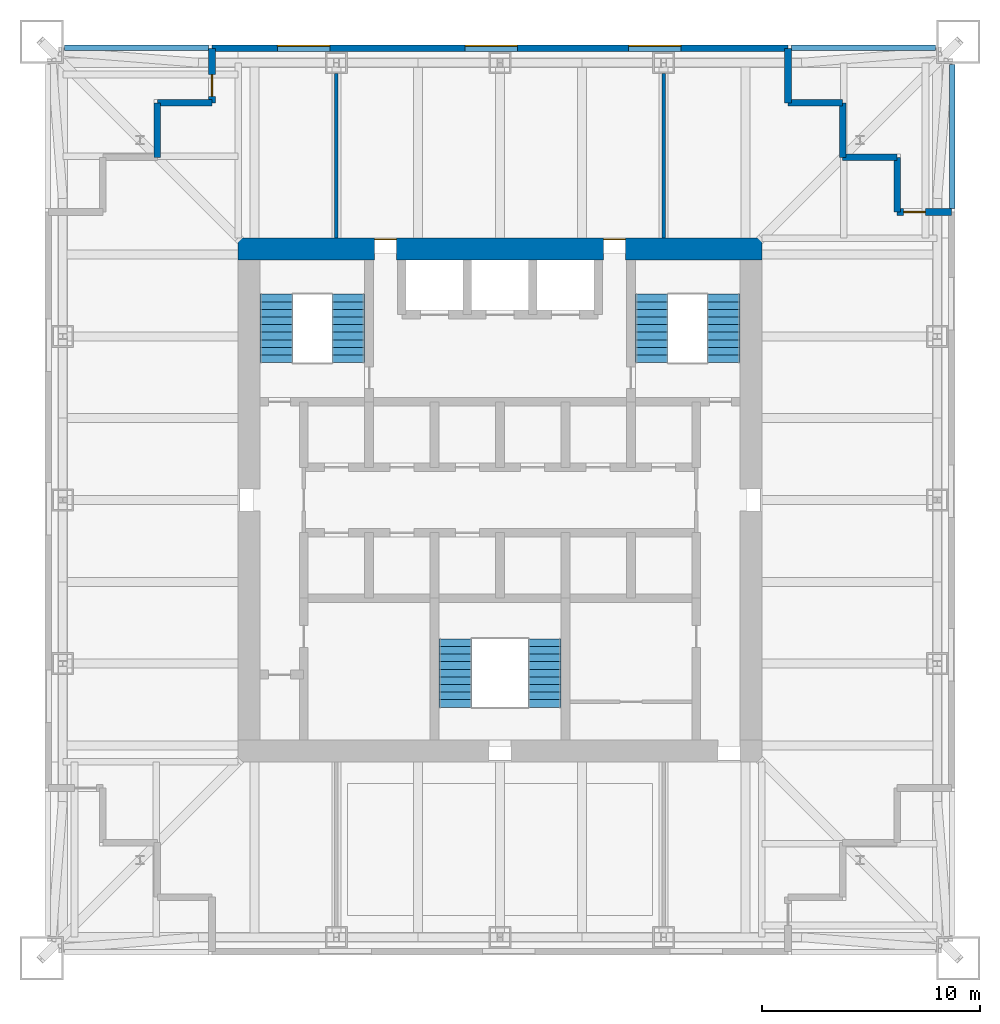
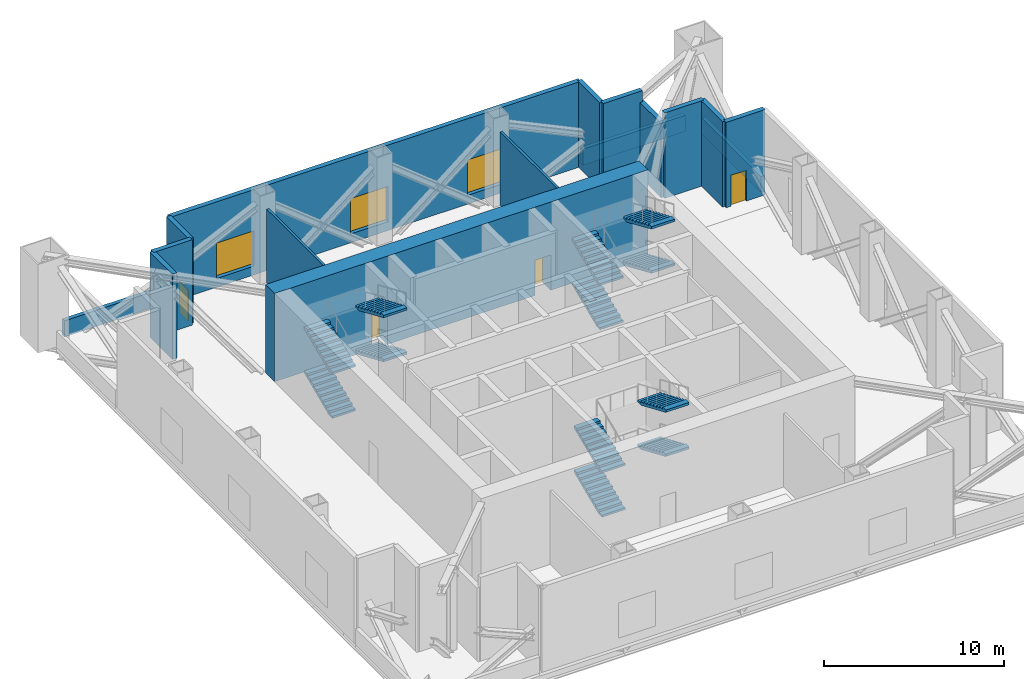
# One storey, part 5 of 7: 16 walls, 12 stair flights, 4 doors, 3 windows, 7 openings, 3 elements without a shape of their own.
"""IFC4 building model written with IfcOpenShell, lengths in metres."""

import ifcopenshell
import ifcopenshell.guid

model = None  # the IFC model being written
_history = None  # IfcOwnerHistory: only IFC2X3 demands one
_inside = {}  # id of a spatial element -> (the spatial element, [elements in it])
_under = {}  # id of a project, library or spatial element -> (it, [spatial elements below it])
_declared = {}  # id of a project -> (the project, [libraries it declares])
_typed = {}  # id of a type object -> (the type object, [elements of that type])
_made_of = {}  # id of a material, layer set ... -> (it, [elements and type objects made of it])


def new_model(schema):
    """Start an empty IFC model of exactly this schema.

    Asked for "IFC4X3", IfcOpenShell would pick the latest addendum, in which some entities
    have other attributes; the version numbers below select the first issue.
    IFC2X3 requires an IfcOwnerHistory on every rooted entity: one is made here for all.
    """
    global model, _history
    if schema == "IFC4X3":
        model = ifcopenshell.file(schema_version=(4, 3, 0, 0))
    else:
        model = ifcopenshell.file(schema=schema)
    _inside.clear()
    _under.clear()
    _declared.clear()
    _typed.clear()
    _made_of.clear()
    _history = None
    if model.schema == "IFC2X3":
        org = make("IfcOrganization", Name="unknown")
        user = make(
            "IfcPersonAndOrganization",
            ThePerson=make("IfcPerson", FamilyName="unknown"),
            TheOrganization=org,
        )
        app = make(
            "IfcApplication",
            ApplicationDeveloper=org,
            Version="unknown",
            ApplicationFullName="unknown",
            ApplicationIdentifier="unknown",
        )
        _history = make(
            "IfcOwnerHistory",
            OwningUser=user,
            OwningApplication=app,
            ChangeAction="ADDED",
            CreationDate=0,
        )
    return model


def make(cls, **values):
    """One entity of the class cls with the attributes given. An attribute that is None is left unset."""
    return model.create_entity(
        cls, **{name: value for name, value in values.items() if value is not None}
    )


def rooted(cls, **values):
    """An entity with a GlobalId (a new one), such as an element, a storey or a relation."""
    return make(cls, GlobalId=ifcopenshell.guid.new(), OwnerHistory=_history, **values)


def si_unit(unit_type, name, prefix=None):
    """IfcSIUnit, for example si_unit("LENGTHUNIT", "METRE", prefix="MILLI")."""
    return make("IfcSIUnit", UnitType=unit_type, Prefix=prefix, Name=name)


def assignment(units):
    """IfcUnitAssignment: the units of a project."""
    return None if units is None else make("IfcUnitAssignment", Units=units)


def point(xyz):
    """IfcCartesianPoint."""
    return None if xyz is None else make("IfcCartesianPoint", Coordinates=xyz)


def direction(xyz):
    """IfcDirection."""
    return None if xyz is None else make("IfcDirection", DirectionRatios=xyz)


def frame(location, z_axis=None, x_axis=None):
    """IfcAxis2Placement3D, a coordinate frame: its origin and axes. An axis left out is left unset."""
    return make(
        "IfcAxis2Placement3D",
        Location=point(location),
        Axis=direction(z_axis),
        RefDirection=direction(x_axis),
    )


def frame_2d(location, x_axis=None):
    """IfcAxis2Placement2D, a coordinate frame in the plane: its origin and x axis."""
    return make(
        "IfcAxis2Placement2D", Location=point(location), RefDirection=direction(x_axis)
    )


def origin():
    """The frame at (0, 0, 0) with its axes left unset."""
    return frame((0.0, 0.0, 0.0))


def place(relative_to, where):
    """IfcLocalPlacement: puts the frame where relative to a parent placement (None: the world)."""
    return make(
        "IfcLocalPlacement", PlacementRelTo=relative_to, RelativePlacement=where
    )


def context(
    kind, dimensions, precision=None, world=None, true_north=None, identifier=None
):
    """IfcGeometricRepresentationContext, for example the 3D "Model" context."""
    return make(
        "IfcGeometricRepresentationContext",
        ContextIdentifier=identifier,
        ContextType=kind,
        CoordinateSpaceDimension=dimensions,
        Precision=precision,
        WorldCoordinateSystem=world,
        TrueNorth=true_north,
    )


def subcontext(parent, identifier, kind, view, scale=None):
    """IfcGeometricRepresentationSubContext, for example "Body" below "Model"."""
    return make(
        "IfcGeometricRepresentationSubContext",
        ContextIdentifier=identifier,
        ContextType=kind,
        ParentContext=parent,
        TargetScale=scale,
        TargetView=view,
    )


def project(units=None, contexts=None):
    """IfcProject with its units and contexts."""
    return rooted(
        "IfcProject",
        Name="project",
        RepresentationContexts=contexts,
        UnitsInContext=assignment(units),
    )


def spatial(cls, under=None, at=None, **own):
    """A site, building, storey or space (cls), placed at a placement, below another one or the project."""
    s = rooted(cls, ObjectPlacement=at, **own)
    if under is not None:
        _under.setdefault(under.id(), (under, []))[1].append(s)
    return s


def polyline(points):
    """IfcPolyline through the points."""
    return make("IfcPolyline", Points=[point(p) for p in points])


def profile(cls, at=None, kind="AREA", **sizes):
    """A parametric profile (cls). Its sizes go by their IFC names, for example OverallWidth=200.0."""
    return make(cls, ProfileType=kind, Position=at, **sizes)


def rectangle(**sizes):
    """IfcRectangleProfileDef."""
    return profile("IfcRectangleProfileDef", **sizes)


def outline(outer, holes=None, kind="AREA"):
    """IfcArbitraryClosedProfileDef: a profile drawn as a closed curve; with holes, ...WithVoids."""
    if holes is None:
        return make("IfcArbitraryClosedProfileDef", ProfileType=kind, OuterCurve=outer)
    return make(
        "IfcArbitraryProfileDefWithVoids",
        ProfileType=kind,
        OuterCurve=outer,
        InnerCurves=holes,
    )


def extrude(swept, where, along, depth):
    """IfcExtrudedAreaSolid: the profile swept, set in the frame where, extruded along a direction by depth."""
    return make(
        "IfcExtrudedAreaSolid",
        SweptArea=swept,
        Position=where,
        ExtrudedDirection=direction(along),
        Depth=depth,
    )


def shape(context_of_items, identifier, shape_type, items):
    """IfcShapeRepresentation: the items that make up one representation, for example the "Body"."""
    return make(
        "IfcShapeRepresentation",
        ContextOfItems=context_of_items,
        RepresentationIdentifier=identifier,
        RepresentationType=shape_type,
        Items=items,
    )


def material(Name=None, Category=None):
    """IfcMaterial."""
    return make("IfcMaterial", Name=Name, Category=Category)


def layer(
    of_material, thickness, ventilated=None, Name=None, Category=None, Priority=None
):
    """IfcMaterialLayer: one layer of a wall or slab, of a material (None: an air gap)."""
    return make(
        "IfcMaterialLayer",
        Material=of_material,
        LayerThickness=thickness,
        IsVentilated=ventilated,
        Name=Name,
        Category=Category,
        Priority=Priority,
    )


def layer_set(layers, Name=None):
    """IfcMaterialLayerSet."""
    return make("IfcMaterialLayerSet", MaterialLayers=layers, LayerSetName=Name)


def made_of(thing, what):
    """Note that an element or type object is made of a material, layer set ...; save() writes the relation."""
    if what is not None:
        _made_of.setdefault(what.id(), (what, []))[1].append(thing)
    return thing


def type_object(cls, material=None, **own):
    """A type object (cls), such as IfcWallType, which elements share."""
    return made_of(rooted(cls, **own), material)


def element(
    cls,
    number,
    at=None,
    inside=None,
    cuts=None,
    type_object=None,
    material=None,
    context=None,
    identifier="Body",
    shape_type=None,
    held_by="IfcProductDefinitionShape",
    body=None,
    shapes=None,
    **own,
):
    """One element of the class cls, such as IfcWall. Its Tag is "e" and its number.

    at: its placement. inside: the storey or other place that contains it. cuts: it is an
    opening in that element (IfcRelVoidsElement). A single representation is given by context,
    identifier, shape_type and body (its items); several are given by shapes. held_by: the class
    of the entity that holds the representations. save() writes the other relations.
    """
    e = rooted(cls, Tag="e%d" % number, ObjectPlacement=at, **own)
    if body is not None:
        shapes = [shape(context, identifier, shape_type, body)]
    if shapes is not None:
        e.Representation = make(held_by, Representations=shapes)
    if inside is not None:
        _inside.setdefault(inside.id(), (inside, []))[1].append(e)
    if cuts is not None:
        rooted(
            "IfcRelVoidsElement", RelatingBuildingElement=cuts, RelatedOpeningElement=e
        )
    if type_object is not None:
        _typed.setdefault(type_object.id(), (type_object, []))[1].append(e)
    return made_of(e, material)


def fill(opening, filler):
    """IfcRelFillsElement: the door or window that sits in an opening."""
    return rooted(
        "IfcRelFillsElement",
        RelatingOpeningElement=opening,
        RelatedBuildingElement=filler,
    )


def aggregate(whole, parts):
    """IfcRelAggregates: a whole, such as a stair, and the parts it consists of."""
    return rooted("IfcRelAggregates", RelatingObject=whole, RelatedObjects=parts)


def save(model, path):
    """Write the relations noted so far, then the file.

    IfcRelAggregates (storeys below a building ...), IfcRelContainedInSpatialStructure (elements
    in a storey), IfcRelDefinesByType, IfcRelAssociatesMaterial and IfcRelDeclares: one each for
    every whole, place, type object, material and project.
    """
    for whole, parts in _under.values():
        aggregate(whole, parts)
    for where, things in _inside.values():
        rooted(
            "IfcRelContainedInSpatialStructure",
            RelatedElements=things,
            RelatingStructure=where,
        )
    for kind, things in _typed.values():
        rooted("IfcRelDefinesByType", RelatedObjects=things, RelatingType=kind)
    for what, things in _made_of.values():
        rooted("IfcRelAssociatesMaterial", RelatedObjects=things, RelatingMaterial=what)
    for by, libraries in _declared.values():
        rooted("IfcRelDeclares", RelatingContext=by, RelatedDefinitions=libraries)
    model.write(path)


model = new_model("IFC4")

# Units and contexts
model_context = context("Model", 3, precision=1e-05, world=origin(), true_north=direction((0.0, 1.0)))
body_context = subcontext(model_context, "Body", "Model", "MODEL_VIEW")
ifc_project = project(units=[si_unit("LENGTHUNIT", "METRE"), si_unit("AREAUNIT", "SQUARE_METRE"), si_unit("VOLUMEUNIT", "CUBIC_METRE"), si_unit("PLANEANGLEUNIT", "RADIAN"), si_unit("MASSUNIT", "GRAM", prefix="KILO")], contexts=[model_context])

# Site, building, storey
site_placement = place(None, origin())
site = spatial("IfcSite", under=ifc_project, at=site_placement, CompositionType="ELEMENT")
building_placement = place(site_placement, origin())
building = spatial("IfcBuilding", under=site, at=building_placement, Name="Tarangal Relay Tower", CompositionType="ELEMENT")
storey_placement = place(building_placement, frame((0.0, 0.0, 335.89990234375)))
storey = spatial("IfcBuildingStorey", under=building, at=storey_placement, Name="L75", CompositionType="ELEMENT", Elevation=335.89990234375)

# Wall, openings, doors
ifc_material_1 = material(Name="Concrete fc' 60 MPa", Category="concrete")
ifc_layer_1 = layer(ifc_material_1, 1.0)
ifc_layer_set_1 = layer_set([ifc_layer_1], Name="Core wall 1000")
wall_type_1 = type_object("IfcWallType", Name="Core wall 1000", PredefinedType="SHEAR", material=ifc_layer_set_1)
wall_1_placement = place(storey_placement, frame((-12.0, 11.5, 0.0), z_axis=(0.0, 0.0, 1.0), x_axis=(1.0, 0.0, 0.0)))
wall_1 = element("IfcWall", 1, at=wall_1_placement, inside=storey, type_object=wall_type_1, Name="Core wall N L75", PredefinedType="SHEAR", context=body_context, shape_type="SweptSolid", body=[
    extrude(rectangle(XDim=24.0, YDim=1.0, at=frame_2d((12.0, 0.0))), origin(), (0.0, 0.0, 1.0), 6.0),
])
opening_1_placement = place(wall_1_placement, frame((6.25, 0.0, 0.0)))
opening_1 = element("IfcOpeningElement", 2, at=opening_1_placement, cuts=wall_1, Name="Opening FD3", PredefinedType="OPENING", context=body_context, shape_type="SweptSolid", body=[
    extrude(rectangle(XDim=1.0, YDim=2.39990234375, at=frame_2d((0.5, 1.199951171875))), frame((0.0, 0.510009765625, 0.0), z_axis=(0.0, -1.0, 0.0), x_axis=(1.0, 0.0, 0.0)), (0.0, 0.0, 1.0), 1.02001953125),
])
opening_2_placement = place(wall_1_placement, frame((16.75, 0.0, 0.0)))
opening_2 = element("IfcOpeningElement", 3, at=opening_2_placement, cuts=wall_1, Name="Opening FD3", PredefinedType="OPENING", context=body_context, shape_type="SweptSolid", body=[
    extrude(rectangle(XDim=1.0, YDim=2.39990234375, at=frame_2d((0.5, 1.199951171875))), frame((0.0, 0.510009765625, 0.0), z_axis=(0.0, -1.0, 0.0), x_axis=(1.0, 0.0, 0.0)), (0.0, 0.0, 1.0), 1.02001953125),
])
ifc_material_2 = material(Name="Steel door with hardwood frame", Category="steel")
door_type_1 = type_object("IfcDoorType", Name="Fire door 1000 x 2400 core entry", OperationType="SINGLE_SWING_RIGHT", PredefinedType="DOOR", material=ifc_material_2)
door_1_placement = place(opening_1_placement, origin())
door_1 = element("IfcDoor", 4, at=door_1_placement, inside=storey, type_object=door_type_1, Name="Core entry door north west L75", OperationType="SINGLE_SWING_RIGHT", OverallHeight=2.39990234375, OverallWidth=1.0, PredefinedType="DOOR", context=body_context, shape_type="SweptSolid", body=[
    extrude(rectangle(XDim=1.0, YDim=2.39990234375, at=frame_2d((0.5, 1.199951171875))), frame((0.0, 0.48486328125, 0.0), z_axis=(0.0, -1.0, 0.0), x_axis=(1.0, 0.0, 0.0)), (0.0, 0.0, 1.0), 0.050048828125),
])
fill(opening_1, door_1)
door_2_placement = place(opening_2_placement, origin())
door_2 = element("IfcDoor", 5, at=door_2_placement, inside=storey, type_object=door_type_1, Name="Core entry door north east L75", OperationType="SINGLE_SWING_RIGHT", OverallHeight=2.39990234375, OverallWidth=1.0, PredefinedType="DOOR", context=body_context, shape_type="SweptSolid", body=[
    extrude(rectangle(XDim=1.0, YDim=2.39990234375, at=frame_2d((0.5, 1.199951171875))), frame((0.0, 0.48486328125, 0.0), z_axis=(0.0, -1.0, 0.0), x_axis=(1.0, 0.0, 0.0)), (0.0, 0.0, 1.0), 0.050048828125),
])
fill(opening_2, door_2)

# Wall, openings, windows
ifc_material_3 = material(Name="Insulated precast concrete fc' 40 MPa", Category="concrete")
ifc_layer_2 = layer(ifc_material_3, 0.300048828125)
ifc_layer_set_2 = layer_set([ifc_layer_2], Name="Insulated precast concrete fc' 40 MPa")
wall_type_2 = type_object("IfcWallType", Name="Facade wall precast 300", PredefinedType="SOLIDWALL", material=ifc_layer_set_2)
wall_2_placement = place(storey_placement, frame((-13.199951171875, 20.699951171875, 0.0), z_axis=(0.0, 0.0, 1.0), x_axis=(1.0, 0.0, 0.0)))
wall_2 = element("IfcWall", 6, at=wall_2_placement, inside=storey, type_object=wall_type_2, Name="Facade wall N facade L75", PredefinedType="SOLIDWALL", context=body_context, shape_type="SweptSolid", body=[
    extrude(rectangle(XDim=26.39990234375, YDim=0.300048828125, at=frame_2d((13.199951171875, 0.0))), origin(), (0.0, 0.0, 1.0), 5.800048828125),
])
opening_3_placement = place(wall_2_placement, frame((3.0, 0.0, 0.60009765625)))
opening_3 = element("IfcOpeningElement", 7, at=opening_3_placement, cuts=wall_2, Name="Opening LV1", PredefinedType="OPENING", context=body_context, shape_type="SweptSolid", body=[
    extrude(rectangle(XDim=2.39990234375, YDim=2.39990234375, at=frame_2d((1.199951171875, 1.199951171875))), frame((0.0, 0.159912109375, 0.0), z_axis=(0.0, -1.0, 0.0), x_axis=(1.0, 0.0, 0.0)), (0.0, 0.0, 1.0), 0.320068359375),
])
opening_4_placement = place(wall_2_placement, frame((11.60009765625, 0.0, 0.60009765625)))
opening_4 = element("IfcOpeningElement", 8, at=opening_4_placement, cuts=wall_2, Name="Opening LV1", PredefinedType="OPENING", context=body_context, shape_type="SweptSolid", body=[
    extrude(rectangle(XDim=2.39990234375, YDim=2.39990234375, at=frame_2d((1.199951171875, 1.199951171875))), frame((0.0, 0.159912109375, 0.0), z_axis=(0.0, -1.0, 0.0), x_axis=(1.0, 0.0, 0.0)), (0.0, 0.0, 1.0), 0.320068359375),
])
opening_5_placement = place(wall_2_placement, frame((19.10009765625, 0.0, 0.60009765625)))
opening_5 = element("IfcOpeningElement", 9, at=opening_5_placement, cuts=wall_2, Name="Opening LV1", PredefinedType="OPENING", context=body_context, shape_type="SweptSolid", body=[
    extrude(rectangle(XDim=2.39990234375, YDim=2.39990234375, at=frame_2d((1.199951171875, 1.199951171875))), frame((0.0, 0.159912109375, 0.0), z_axis=(0.0, -1.0, 0.0), x_axis=(1.0, 0.0, 0.0)), (0.0, 0.0, 1.0), 0.320068359375),
])
ifc_material_4 = material(Name="Black aluminium weather louvre", Category="aluminium")
window_type = type_object("IfcWindowType", Name="Louvre 2400 x 2400", PartitioningType="SINGLE_PANEL", PredefinedType="WINDOW", material=ifc_material_4)
window_1_placement = place(opening_3_placement, origin())
window_1 = element("IfcWindow", 10, at=window_1_placement, inside=storey, type_object=window_type, Name="Louvre LV1 N facade L75", OverallHeight=2.39990234375, OverallWidth=2.39990234375, PartitioningType="SINGLE_PANEL", PredefinedType="WINDOW", context=body_context, shape_type="SweptSolid", body=[
    extrude(rectangle(XDim=2.39990234375, YDim=2.39990234375, at=frame_2d((1.199951171875, 1.199951171875))), frame((0.0, 0.150146484375, 0.0), z_axis=(0.0, -1.0, 0.0), x_axis=(1.0, 0.0, 0.0)), (0.0, 0.0, 1.0), 0.06005859375),
])
fill(opening_3, window_1)
window_2_placement = place(opening_4_placement, origin())
window_2 = element("IfcWindow", 11, at=window_2_placement, inside=storey, type_object=window_type, Name="Louvre LV1 N facade L75", OverallHeight=2.39990234375, OverallWidth=2.39990234375, PartitioningType="SINGLE_PANEL", PredefinedType="WINDOW", context=body_context, shape_type="SweptSolid", body=[
    extrude(rectangle(XDim=2.39990234375, YDim=2.39990234375, at=frame_2d((1.199951171875, 1.199951171875))), frame((0.0, 0.150146484375, 0.0), z_axis=(0.0, -1.0, 0.0), x_axis=(1.0, 0.0, 0.0)), (0.0, 0.0, 1.0), 0.06005859375),
])
fill(opening_4, window_2)
window_3_placement = place(opening_5_placement, origin())
window_3 = element("IfcWindow", 12, at=window_3_placement, inside=storey, type_object=window_type, Name="Louvre LV1 N facade L75", OverallHeight=2.39990234375, OverallWidth=2.39990234375, PartitioningType="SINGLE_PANEL", PredefinedType="WINDOW", context=body_context, shape_type="SweptSolid", body=[
    extrude(rectangle(XDim=2.39990234375, YDim=2.39990234375, at=frame_2d((1.199951171875, 1.199951171875))), frame((0.0, 0.150146484375, 0.0), z_axis=(0.0, -1.0, 0.0), x_axis=(1.0, 0.0, 0.0)), (0.0, 0.0, 1.0), 0.06005859375),
])
fill(opening_5, window_3)

# Walls
for number, where, z_axis, x_axis, name in (
    (13, (13.199951171875, 20.699951171875, 0.0), (0.0, 0.0, 1.0), (0.0, -1.0, 0.0), "Facade wall N facade L75"),
    (14, (13.199951171875, 18.199951171875, 0.0), (0.0, 0.0, 1.0), (1.0, 0.0, 0.0), "Facade wall N facade L75"),
):
    element("IfcWall", number, at=place(storey_placement, frame(where, z_axis=z_axis, x_axis=x_axis)), inside=storey, type_object=wall_type_2, Name=name, PredefinedType="SOLIDWALL", context=body_context, shape_type="SweptSolid", body=[
        extrude(rectangle(XDim=2.5, YDim=0.300048828125, at=frame_2d((1.25, 0.0))), origin(), (0.0, 0.0, 1.0), 5.800048828125),
    ])
wall_3_placement = place(storey_placement, frame((15.699951171875, 18.199951171875, 0.0), z_axis=(0.0, 0.0, 1.0), x_axis=(0.0, -1.0, 0.0)))
element("IfcWall", 15, at=wall_3_placement, inside=storey, type_object=wall_type_2, Name="Facade wall N facade L75", PredefinedType="SOLIDWALL", context=body_context, shape_type="SweptSolid", body=[
    extrude(rectangle(XDim=2.5, YDim=0.300048828125, at=frame_2d((1.25, 0.0))), origin(), (0.0, 0.0, 1.0), 5.045654296875),
])
for number, where, z_axis, x_axis, name in (
    (16, (15.699951171875, 15.699951171875, 0.0), (0.0, 0.0, 1.0), (1.0, 0.0, 0.0), "Facade wall N facade L75"),
    (17, (18.199951171875, 15.699951171875, 0.0), (0.0, 0.0, 1.0), (0.0, -1.0, 0.0), "Facade wall N facade L75"),
):
    element("IfcWall", number, at=place(storey_placement, frame(where, z_axis=z_axis, x_axis=x_axis)), inside=storey, type_object=wall_type_2, Name=name, PredefinedType="SOLIDWALL", context=body_context, shape_type="SweptSolid", body=[
        extrude(rectangle(XDim=2.5, YDim=0.300048828125, at=frame_2d((1.25, 0.0))), origin(), (0.0, 0.0, 1.0), 5.800048828125),
    ])

# Wall, opening, door
wall_4_placement = place(storey_placement, frame((18.199951171875, 13.199951171875, 0.0), z_axis=(0.0, 0.0, 1.0), x_axis=(1.0, 0.0, 0.0)))
wall_4 = element("IfcWall", 18, at=wall_4_placement, inside=storey, type_object=wall_type_2, Name="Facade wall N facade L75", PredefinedType="SOLIDWALL", context=body_context, shape_type="SweptSolid", body=[
    extrude(rectangle(XDim=2.5, YDim=0.300048828125, at=frame_2d((1.25, 0.0))), origin(), (0.0, 0.0, 1.0), 5.800048828125),
])
opening_6_placement = place(wall_4_placement, frame((0.300048828125, 0.0, 0.0)))
opening_6 = element("IfcOpeningElement", 19, at=opening_6_placement, cuts=wall_4, Name="Opening MD1", PredefinedType="OPENING", context=body_context, shape_type="SweptSolid", body=[
    extrude(rectangle(XDim=1.0, YDim=2.10009765625, at=frame_2d((0.5, 1.050048828125))), frame((0.0, 0.159912109375, 0.0), z_axis=(0.0, -1.0, 0.0), x_axis=(1.0, 0.0, 0.0)), (0.0, 0.0, 1.0), 0.320068359375),
])
door_type_2 = type_object("IfcDoorType", Name="Maintenance access door 1000 x 2100", OperationType="SINGLE_SWING_RIGHT", PredefinedType="DOOR", material=ifc_material_2)
door_3_placement = place(opening_6_placement, origin())
door_3 = element("IfcDoor", 20, at=door_3_placement, inside=storey, type_object=door_type_2, Name="Maintenance access door MD1 NE L75", OperationType="SINGLE_SWING_RIGHT", OverallHeight=2.10009765625, OverallWidth=1.0, PredefinedType="DOOR", context=body_context, shape_type="SweptSolid", body=[
    extrude(rectangle(XDim=1.0, YDim=2.10009765625, at=frame_2d((0.5, 1.050048828125))), frame((0.0, 0.02490234375, 0.0), z_axis=(0.0, -1.0, 0.0), x_axis=(1.0, 0.0, 0.0)), (0.0, 0.0, 1.0), 0.050048828125),
])
fill(opening_6, door_3)

# Walls
for number, where, z_axis, x_axis, name in (
    (21, (-15.699951171875, 15.699951171875, 0.0), (0.0, 0.0, 1.0), (0.0, 1.0, 0.0), "Facade wall W facade L75"),
    (22, (-15.699951171875, 18.199951171875, 0.0), (0.0, 0.0, 1.0), (1.0, 0.0, 0.0), "Facade wall W facade L75"),
):
    element("IfcWall", number, at=place(storey_placement, frame(where, z_axis=z_axis, x_axis=x_axis)), inside=storey, type_object=wall_type_2, Name=name, PredefinedType="SOLIDWALL", context=body_context, shape_type="SweptSolid", body=[
        extrude(rectangle(XDim=2.5, YDim=0.300048828125, at=frame_2d((1.25, 0.0))), origin(), (0.0, 0.0, 1.0), 5.800048828125),
    ])

# Wall, opening, door
wall_5_placement = place(storey_placement, frame((-13.199951171875, 18.199951171875, 0.0), z_axis=(0.0, 0.0, 1.0), x_axis=(0.0, 1.0, 0.0)))
wall_5 = element("IfcWall", 23, at=wall_5_placement, inside=storey, type_object=wall_type_2, Name="Facade wall W facade L75", PredefinedType="SOLIDWALL", context=body_context, shape_type="SweptSolid", body=[
    extrude(rectangle(XDim=2.5, YDim=0.300048828125, at=frame_2d((1.25, 0.0))), origin(), (0.0, 0.0, 1.0), 5.800048828125),
])
opening_7_placement = place(wall_5_placement, frame((0.300048828125, 0.0, 0.0)))
opening_7 = element("IfcOpeningElement", 24, at=opening_7_placement, cuts=wall_5, Name="Opening MD1", PredefinedType="OPENING", context=body_context, shape_type="SweptSolid", body=[
    extrude(rectangle(XDim=1.0, YDim=2.10009765625, at=frame_2d((0.5, 1.050048828125))), frame((0.0, 0.159912109375, 0.0), z_axis=(0.0, -1.0, 0.0), x_axis=(1.0, 0.0, 0.0)), (0.0, 0.0, 1.0), 0.320068359375),
])
door_4_placement = place(opening_7_placement, origin())
door_4 = element("IfcDoor", 25, at=door_4_placement, inside=storey, type_object=door_type_2, Name="Maintenance access door MD1 NW L75", OperationType="SINGLE_SWING_RIGHT", OverallHeight=2.10009765625, OverallWidth=1.0, PredefinedType="DOOR", context=body_context, shape_type="SweptSolid", body=[
    extrude(rectangle(XDim=1.0, YDim=2.10009765625, at=frame_2d((0.5, 1.050048828125))), frame((0.0, 0.02490234375, 0.0), z_axis=(0.0, -1.0, 0.0), x_axis=(1.0, 0.0, 0.0)), (0.0, 0.0, 1.0), 0.050048828125),
])
fill(opening_7, door_4)

# Walls
ifc_material_5 = material(Name="Concrete parapet with metal coping", Category="concrete")
ifc_layer_3 = layer(ifc_material_5, 0.25)
ifc_layer_set_3 = layer_set([ifc_layer_3], Name="Parapet 250")
wall_type_3 = type_object("IfcWallType", Name="Parapet 250", PredefinedType="PARAPET", material=ifc_layer_set_3)
for number, where, z_axis, x_axis, name in (
    (26, (13.35009765625, 20.72509765625, 0.0), (0.0, 0.0, 1.0), (1.0, 0.0, 0.0), "Ledge parapet PP1 NE L75"),
    (27, (20.72509765625, 19.949951171875, 0.0), (0.0, 0.0, 1.0), (0.0, -1.0, 0.0), "Ledge parapet PP1 NE L75"),
    (28, (-19.949951171875, 20.72509765625, 0.0), (0.0, 0.0, 1.0), (1.0, 0.0, 0.0), "Ledge parapet PP1 NW L75"),
):
    element("IfcWall", number, at=place(storey_placement, frame(where, z_axis=z_axis, x_axis=x_axis)), inside=storey, type_object=wall_type_3, Name=name, PredefinedType="PARAPET", context=body_context, shape_type="SweptSolid", body=[
        extrude(rectangle(XDim=6.599853515625, YDim=0.25, at=frame_2d((3.2998046875, 0.0))), origin(), (0.0, 0.0, 1.0), 1.10009765625),
    ])
ifc_material_6 = material(Name="Gypsum board on steel studs", Category="steel")
ifc_layer_4 = layer(ifc_material_6, 0.14990234375)
ifc_layer_set_4 = layer_set([ifc_layer_4], Name="Partition 150")
wall_type_4 = type_object("IfcWallType", Name="Partition 150", PredefinedType="PARTITIONING", material=ifc_layer_set_4)
for number, where, z_axis, x_axis, name in (
    (29, (-7.5, 12.0, 0.0), (0.0, 0.0, 1.0), (0.0, 1.0, 0.0), "Partition PT1 L75"),
    (30, (7.5, 12.0, 0.0), (0.0, 0.0, 1.0), (0.0, 1.0, 0.0), "Partition PT1 L75"),
):
    element("IfcWall", number, at=place(storey_placement, frame(where, z_axis=z_axis, x_axis=x_axis)), inside=storey, type_object=wall_type_4, Name=name, PredefinedType="PARTITIONING", context=body_context, shape_type="SweptSolid", body=[
        extrude(rectangle(XDim=7.5400390625, YDim=0.14990234375, at=frame_2d((3.77001953125, 0.0))), origin(), (0.0, 0.0, 1.0), 4.99755859375),
    ])

# Stair, stair flights
ifc_material_7 = material(Name="Steel ASTM A992 stair flight", Category="steel")
stair_type = type_object("IfcStairType", Name="Core stair 1500", PredefinedType="HALF_TURN_STAIR", material=ifc_material_7)
stair_1_placement = place(storey_placement, origin())
stair_1 = element("IfcStair", 31, at=stair_1_placement, inside=storey, type_object=stair_type, Name="Stair ST-A L75", PredefinedType="HALF_TURN_STAIR")
stair_flight_type = type_object("IfcStairFlightType", Name="Steel stair flight 1500, 10 risers 150 x 348", PredefinedType="STRAIGHT", material=ifc_material_7)
stair_flight_1_placement = place(storey_placement, frame((-10.25, 6.300048828125, 0.0), z_axis=(0.0, 0.0, 1.0), x_axis=(0.0, 1.0, 0.0)))
stair_flight_1 = element("IfcStairFlight", 32, at=stair_flight_1_placement, type_object=stair_flight_type, Name="ST-A flight 1", NumberOfRisers=10, NumberOfTreads=9, PredefinedType="STRAIGHT", RiserHeight=0.15, TreadLength=0.348, context=body_context, shape_type="SweptSolid", body=[
    extrude(outline(polyline([(0.0, 0.0), (0.0, 0.14990234375), (0.347900390625, 0.14990234375), (0.347900390625, 0.300048828125), (0.696044921875, 0.300048828125), (0.696044921875, 0.449951171875), (1.0439453125, 0.449951171875), (1.0439453125, 0.60009765625), (1.39208984375, 0.60009765625), (1.39208984375, 0.75), (1.739990234375, 0.75), (1.739990234375, 0.89990234375), (2.087890625, 0.89990234375), (2.087890625, 1.050048828125), (2.43603515625, 1.050048828125), (2.43603515625, 1.199951171875), (2.783935546875, 1.199951171875), (2.783935546875, 1.35009765625), (3.132080078125, 1.35009765625), (3.132080078125, 1.5), (3.132080078125, 1.186767578125), (0.378662109375, 0.0), (0.0, 0.0)])), frame((0.0, 0.75, 0.0), z_axis=(0.0, -1.0, 0.0), x_axis=(1.0, 0.0, 0.0)), (0.0, 0.0, 1.0), 1.5),
])
stair_flight_2_placement = place(storey_placement, frame((-6.949951171875, 9.431884765625, 1.5), z_axis=(0.0, 0.0, 1.0), x_axis=(0.0, -1.0, 0.0)))
stair_flight_2 = element("IfcStairFlight", 33, at=stair_flight_2_placement, type_object=stair_flight_type, Name="ST-A flight 2", NumberOfRisers=10, NumberOfTreads=9, PredefinedType="STRAIGHT", RiserHeight=0.15, TreadLength=0.348, context=body_context, shape_type="SweptSolid", body=[
    extrude(outline(polyline([(0.0, 0.0), (0.0, 0.14990234375), (0.347900390625, 0.14990234375), (0.347900390625, 0.300048828125), (0.696044921875, 0.300048828125), (0.696044921875, 0.449951171875), (1.0439453125, 0.449951171875), (1.0439453125, 0.60009765625), (1.39208984375, 0.60009765625), (1.39208984375, 0.75), (1.739990234375, 0.75), (1.739990234375, 0.89990234375), (2.087890625, 0.89990234375), (2.087890625, 1.050048828125), (2.43603515625, 1.050048828125), (2.43603515625, 1.199951171875), (2.783935546875, 1.199951171875), (2.783935546875, 1.35009765625), (3.132080078125, 1.35009765625), (3.132080078125, 1.5), (3.132080078125, 1.186767578125), (0.378662109375, 0.0), (0.0, 0.0)])), frame((0.0, 0.75, 0.0), z_axis=(0.0, -1.0, 0.0), x_axis=(1.0, 0.0, 0.0)), (0.0, 0.0, 1.0), 1.5),
])
stair_flight_3_placement = place(storey_placement, frame((-10.25, 6.300048828125, 3.0), z_axis=(0.0, 0.0, 1.0), x_axis=(0.0, 1.0, 0.0)))
stair_flight_3 = element("IfcStairFlight", 34, at=stair_flight_3_placement, type_object=stair_flight_type, Name="ST-A flight 3", NumberOfRisers=10, NumberOfTreads=9, PredefinedType="STRAIGHT", RiserHeight=0.15, TreadLength=0.348, context=body_context, shape_type="SweptSolid", body=[
    extrude(outline(polyline([(0.0, 0.0), (0.0, 0.14990234375), (0.347900390625, 0.14990234375), (0.347900390625, 0.300048828125), (0.696044921875, 0.300048828125), (0.696044921875, 0.449951171875), (1.0439453125, 0.449951171875), (1.0439453125, 0.60009765625), (1.39208984375, 0.60009765625), (1.39208984375, 0.75), (1.739990234375, 0.75), (1.739990234375, 0.89990234375), (2.087890625, 0.89990234375), (2.087890625, 1.050048828125), (2.43603515625, 1.050048828125), (2.43603515625, 1.199951171875), (2.783935546875, 1.199951171875), (2.783935546875, 1.35009765625), (3.132080078125, 1.35009765625), (3.132080078125, 1.5), (3.132080078125, 1.186767578125), (0.378662109375, 0.0), (0.0, 0.0)])), frame((0.0, 0.75, 0.0), z_axis=(0.0, -1.0, 0.0), x_axis=(1.0, 0.0, 0.0)), (0.0, 0.0, 1.0), 1.5),
])
stair_flight_4_placement = place(storey_placement, frame((-6.949951171875, 9.431884765625, 4.5), z_axis=(0.0, 0.0, 1.0), x_axis=(0.0, -1.0, 0.0)))
stair_flight_4 = element("IfcStairFlight", 35, at=stair_flight_4_placement, type_object=stair_flight_type, Name="ST-A flight 4", NumberOfRisers=10, NumberOfTreads=9, PredefinedType="STRAIGHT", RiserHeight=0.15, TreadLength=0.348, context=body_context, shape_type="SweptSolid", body=[
    extrude(outline(polyline([(0.0, 0.0), (0.0, 0.14990234375), (0.347900390625, 0.14990234375), (0.347900390625, 0.300048828125), (0.696044921875, 0.300048828125), (0.696044921875, 0.449951171875), (1.0439453125, 0.449951171875), (1.0439453125, 0.60009765625), (1.39208984375, 0.60009765625), (1.39208984375, 0.75), (1.739990234375, 0.75), (1.739990234375, 0.89990234375), (2.087890625, 0.89990234375), (2.087890625, 1.050048828125), (2.43603515625, 1.050048828125), (2.43603515625, 1.199951171875), (2.783935546875, 1.199951171875), (2.783935546875, 1.35009765625), (3.132080078125, 1.35009765625), (3.132080078125, 1.5), (3.132080078125, 1.186767578125), (0.378662109375, 0.0), (0.0, 0.0)])), frame((0.0, 0.75, 0.0), z_axis=(0.0, -1.0, 0.0), x_axis=(1.0, 0.0, 0.0)), (0.0, 0.0, 1.0), 1.5),
])
aggregate(stair_1, [stair_flight_1, stair_flight_2, stair_flight_3, stair_flight_4])

stair_2_placement = place(storey_placement, origin())
stair_2 = element("IfcStair", 36, at=stair_2_placement, inside=storey, type_object=stair_type, Name="Stair ST-B L75", PredefinedType="HALF_TURN_STAIR")
stair_flight_5_placement = place(storey_placement, frame((6.949951171875, 6.300048828125, 0.0), z_axis=(0.0, 0.0, 1.0), x_axis=(0.0, 1.0, 0.0)))
stair_flight_5 = element("IfcStairFlight", 37, at=stair_flight_5_placement, type_object=stair_flight_type, Name="ST-B flight 1", NumberOfRisers=10, NumberOfTreads=9, PredefinedType="STRAIGHT", RiserHeight=0.15, TreadLength=0.348, context=body_context, shape_type="SweptSolid", body=[
    extrude(outline(polyline([(0.0, 0.0), (0.0, 0.14990234375), (0.347900390625, 0.14990234375), (0.347900390625, 0.300048828125), (0.696044921875, 0.300048828125), (0.696044921875, 0.449951171875), (1.0439453125, 0.449951171875), (1.0439453125, 0.60009765625), (1.39208984375, 0.60009765625), (1.39208984375, 0.75), (1.739990234375, 0.75), (1.739990234375, 0.89990234375), (2.087890625, 0.89990234375), (2.087890625, 1.050048828125), (2.43603515625, 1.050048828125), (2.43603515625, 1.199951171875), (2.783935546875, 1.199951171875), (2.783935546875, 1.35009765625), (3.132080078125, 1.35009765625), (3.132080078125, 1.5), (3.132080078125, 1.186767578125), (0.378662109375, 0.0), (0.0, 0.0)])), frame((0.0, 0.75, 0.0), z_axis=(0.0, -1.0, 0.0), x_axis=(1.0, 0.0, 0.0)), (0.0, 0.0, 1.0), 1.5),
])
stair_flight_6_placement = place(storey_placement, frame((10.25, 9.431884765625, 1.5), z_axis=(0.0, 0.0, 1.0), x_axis=(0.0, -1.0, 0.0)))
stair_flight_6 = element("IfcStairFlight", 38, at=stair_flight_6_placement, type_object=stair_flight_type, Name="ST-B flight 2", NumberOfRisers=10, NumberOfTreads=9, PredefinedType="STRAIGHT", RiserHeight=0.15, TreadLength=0.348, context=body_context, shape_type="SweptSolid", body=[
    extrude(outline(polyline([(0.0, 0.0), (0.0, 0.14990234375), (0.347900390625, 0.14990234375), (0.347900390625, 0.300048828125), (0.696044921875, 0.300048828125), (0.696044921875, 0.449951171875), (1.0439453125, 0.449951171875), (1.0439453125, 0.60009765625), (1.39208984375, 0.60009765625), (1.39208984375, 0.75), (1.739990234375, 0.75), (1.739990234375, 0.89990234375), (2.087890625, 0.89990234375), (2.087890625, 1.050048828125), (2.43603515625, 1.050048828125), (2.43603515625, 1.199951171875), (2.783935546875, 1.199951171875), (2.783935546875, 1.35009765625), (3.132080078125, 1.35009765625), (3.132080078125, 1.5), (3.132080078125, 1.186767578125), (0.378662109375, 0.0), (0.0, 0.0)])), frame((0.0, 0.75, 0.0), z_axis=(0.0, -1.0, 0.0), x_axis=(1.0, 0.0, 0.0)), (0.0, 0.0, 1.0), 1.5),
])
stair_flight_7_placement = place(storey_placement, frame((6.949951171875, 6.300048828125, 3.0), z_axis=(0.0, 0.0, 1.0), x_axis=(0.0, 1.0, 0.0)))
stair_flight_7 = element("IfcStairFlight", 39, at=stair_flight_7_placement, type_object=stair_flight_type, Name="ST-B flight 3", NumberOfRisers=10, NumberOfTreads=9, PredefinedType="STRAIGHT", RiserHeight=0.15, TreadLength=0.348, context=body_context, shape_type="SweptSolid", body=[
    extrude(outline(polyline([(0.0, 0.0), (0.0, 0.14990234375), (0.347900390625, 0.14990234375), (0.347900390625, 0.300048828125), (0.696044921875, 0.300048828125), (0.696044921875, 0.449951171875), (1.0439453125, 0.449951171875), (1.0439453125, 0.60009765625), (1.39208984375, 0.60009765625), (1.39208984375, 0.75), (1.739990234375, 0.75), (1.739990234375, 0.89990234375), (2.087890625, 0.89990234375), (2.087890625, 1.050048828125), (2.43603515625, 1.050048828125), (2.43603515625, 1.199951171875), (2.783935546875, 1.199951171875), (2.783935546875, 1.35009765625), (3.132080078125, 1.35009765625), (3.132080078125, 1.5), (3.132080078125, 1.186767578125), (0.378662109375, 0.0), (0.0, 0.0)])), frame((0.0, 0.75, 0.0), z_axis=(0.0, -1.0, 0.0), x_axis=(1.0, 0.0, 0.0)), (0.0, 0.0, 1.0), 1.5),
])
stair_flight_8_placement = place(storey_placement, frame((10.25, 9.431884765625, 4.5), z_axis=(0.0, 0.0, 1.0), x_axis=(0.0, -1.0, 0.0)))
stair_flight_8 = element("IfcStairFlight", 40, at=stair_flight_8_placement, type_object=stair_flight_type, Name="ST-B flight 4", NumberOfRisers=10, NumberOfTreads=9, PredefinedType="STRAIGHT", RiserHeight=0.15, TreadLength=0.348, context=body_context, shape_type="SweptSolid", body=[
    extrude(outline(polyline([(0.0, 0.0), (0.0, 0.14990234375), (0.347900390625, 0.14990234375), (0.347900390625, 0.300048828125), (0.696044921875, 0.300048828125), (0.696044921875, 0.449951171875), (1.0439453125, 0.449951171875), (1.0439453125, 0.60009765625), (1.39208984375, 0.60009765625), (1.39208984375, 0.75), (1.739990234375, 0.75), (1.739990234375, 0.89990234375), (2.087890625, 0.89990234375), (2.087890625, 1.050048828125), (2.43603515625, 1.050048828125), (2.43603515625, 1.199951171875), (2.783935546875, 1.199951171875), (2.783935546875, 1.35009765625), (3.132080078125, 1.35009765625), (3.132080078125, 1.5), (3.132080078125, 1.186767578125), (0.378662109375, 0.0), (0.0, 0.0)])), frame((0.0, 0.75, 0.0), z_axis=(0.0, -1.0, 0.0), x_axis=(1.0, 0.0, 0.0)), (0.0, 0.0, 1.0), 1.5),
])
aggregate(stair_2, [stair_flight_5, stair_flight_6, stair_flight_7, stair_flight_8])

stair_3_placement = place(storey_placement, origin())
stair_3 = element("IfcStair", 41, at=stair_3_placement, inside=storey, type_object=stair_type, Name="Stair ST-C L75", PredefinedType="HALF_TURN_STAIR")
stair_flight_9_placement = place(storey_placement, frame((-2.050048828125, -9.5, 0.0), z_axis=(0.0, 0.0, 1.0), x_axis=(0.0, 1.0, 0.0)))
stair_flight_9 = element("IfcStairFlight", 42, at=stair_flight_9_placement, type_object=stair_flight_type, Name="ST-C flight 1", NumberOfRisers=10, NumberOfTreads=9, PredefinedType="STRAIGHT", RiserHeight=0.15, TreadLength=0.348, context=body_context, shape_type="SweptSolid", body=[
    extrude(outline(polyline([(0.0, 0.0), (0.0, 0.14990234375), (0.347900390625, 0.14990234375), (0.347900390625, 0.300048828125), (0.696044921875, 0.300048828125), (0.696044921875, 0.449951171875), (1.0439453125, 0.449951171875), (1.0439453125, 0.60009765625), (1.39208984375, 0.60009765625), (1.39208984375, 0.75), (1.739990234375, 0.75), (1.739990234375, 0.89990234375), (2.087890625, 0.89990234375), (2.087890625, 1.050048828125), (2.43603515625, 1.050048828125), (2.43603515625, 1.199951171875), (2.783935546875, 1.199951171875), (2.783935546875, 1.35009765625), (3.132080078125, 1.35009765625), (3.132080078125, 1.5), (3.132080078125, 1.186767578125), (0.378662109375, 0.0), (0.0, 0.0)])), frame((0.0, 0.75, 0.0), z_axis=(0.0, -1.0, 0.0), x_axis=(1.0, 0.0, 0.0)), (0.0, 0.0, 1.0), 1.5),
])
stair_flight_10_placement = place(storey_placement, frame((2.050048828125, -6.367919921875, 1.5), z_axis=(0.0, 0.0, 1.0), x_axis=(0.0, -1.0, 0.0)))
stair_flight_10 = element("IfcStairFlight", 43, at=stair_flight_10_placement, type_object=stair_flight_type, Name="ST-C flight 2", NumberOfRisers=10, NumberOfTreads=9, PredefinedType="STRAIGHT", RiserHeight=0.15, TreadLength=0.348, context=body_context, shape_type="SweptSolid", body=[
    extrude(outline(polyline([(0.0, 0.0), (0.0, 0.14990234375), (0.347900390625, 0.14990234375), (0.347900390625, 0.300048828125), (0.696044921875, 0.300048828125), (0.696044921875, 0.449951171875), (1.0439453125, 0.449951171875), (1.0439453125, 0.60009765625), (1.39208984375, 0.60009765625), (1.39208984375, 0.75), (1.739990234375, 0.75), (1.739990234375, 0.89990234375), (2.087890625, 0.89990234375), (2.087890625, 1.050048828125), (2.43603515625, 1.050048828125), (2.43603515625, 1.199951171875), (2.783935546875, 1.199951171875), (2.783935546875, 1.35009765625), (3.132080078125, 1.35009765625), (3.132080078125, 1.5), (3.132080078125, 1.186767578125), (0.378662109375, 0.0), (0.0, 0.0)])), frame((0.0, 0.75, 0.0), z_axis=(0.0, -1.0, 0.0), x_axis=(1.0, 0.0, 0.0)), (0.0, 0.0, 1.0), 1.5),
])
stair_flight_11_placement = place(storey_placement, frame((-2.050048828125, -9.5, 3.0), z_axis=(0.0, 0.0, 1.0), x_axis=(0.0, 1.0, 0.0)))
stair_flight_11 = element("IfcStairFlight", 44, at=stair_flight_11_placement, type_object=stair_flight_type, Name="ST-C flight 3", NumberOfRisers=10, NumberOfTreads=9, PredefinedType="STRAIGHT", RiserHeight=0.15, TreadLength=0.348, context=body_context, shape_type="SweptSolid", body=[
    extrude(outline(polyline([(0.0, 0.0), (0.0, 0.14990234375), (0.347900390625, 0.14990234375), (0.347900390625, 0.300048828125), (0.696044921875, 0.300048828125), (0.696044921875, 0.449951171875), (1.0439453125, 0.449951171875), (1.0439453125, 0.60009765625), (1.39208984375, 0.60009765625), (1.39208984375, 0.75), (1.739990234375, 0.75), (1.739990234375, 0.89990234375), (2.087890625, 0.89990234375), (2.087890625, 1.050048828125), (2.43603515625, 1.050048828125), (2.43603515625, 1.199951171875), (2.783935546875, 1.199951171875), (2.783935546875, 1.35009765625), (3.132080078125, 1.35009765625), (3.132080078125, 1.5), (3.132080078125, 1.186767578125), (0.378662109375, 0.0), (0.0, 0.0)])), frame((0.0, 0.75, 0.0), z_axis=(0.0, -1.0, 0.0), x_axis=(1.0, 0.0, 0.0)), (0.0, 0.0, 1.0), 1.5),
])
stair_flight_12_placement = place(storey_placement, frame((2.050048828125, -6.367919921875, 4.5), z_axis=(0.0, 0.0, 1.0), x_axis=(0.0, -1.0, 0.0)))
stair_flight_12 = element("IfcStairFlight", 45, at=stair_flight_12_placement, type_object=stair_flight_type, Name="ST-C flight 4", NumberOfRisers=10, NumberOfTreads=9, PredefinedType="STRAIGHT", RiserHeight=0.15, TreadLength=0.348, context=body_context, shape_type="SweptSolid", body=[
    extrude(outline(polyline([(0.0, 0.0), (0.0, 0.14990234375), (0.347900390625, 0.14990234375), (0.347900390625, 0.300048828125), (0.696044921875, 0.300048828125), (0.696044921875, 0.449951171875), (1.0439453125, 0.449951171875), (1.0439453125, 0.60009765625), (1.39208984375, 0.60009765625), (1.39208984375, 0.75), (1.739990234375, 0.75), (1.739990234375, 0.89990234375), (2.087890625, 0.89990234375), (2.087890625, 1.050048828125), (2.43603515625, 1.050048828125), (2.43603515625, 1.199951171875), (2.783935546875, 1.199951171875), (2.783935546875, 1.35009765625), (3.132080078125, 1.35009765625), (3.132080078125, 1.5), (3.132080078125, 1.186767578125), (0.378662109375, 0.0), (0.0, 0.0)])), frame((0.0, 0.75, 0.0), z_axis=(0.0, -1.0, 0.0), x_axis=(1.0, 0.0, 0.0)), (0.0, 0.0, 1.0), 1.5),
])
aggregate(stair_3, [stair_flight_9, stair_flight_10, stair_flight_11, stair_flight_12])

save(model, "model.ifc")
